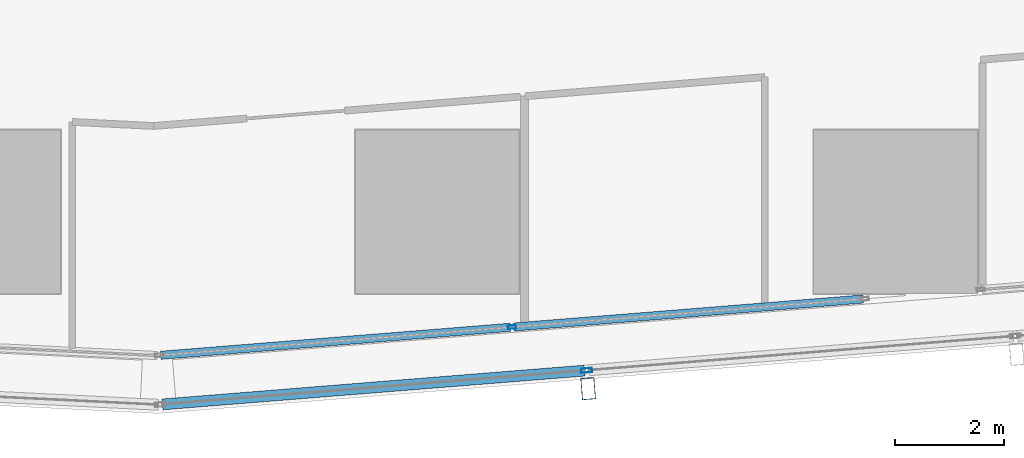
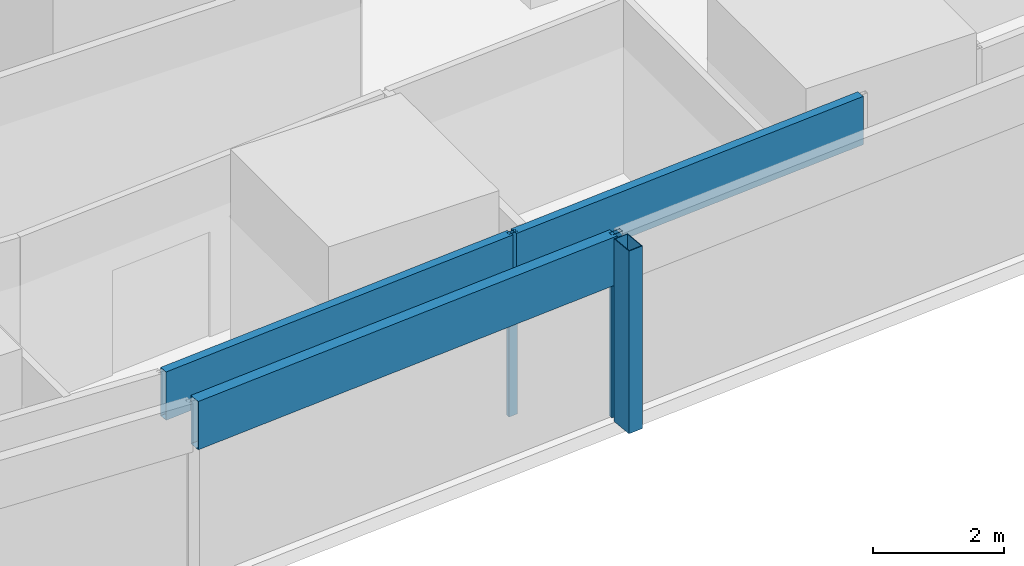
# One storey, part 10 of 44: 6 members, 2 elements without a shape of their own.
"""IFC4 building model written with IfcOpenShell, lengths in metres."""

from ifc_helpers import new_model, si_unit, direction, frame, origin, origin_2d, place, context, subcontext, project, spatial, hollow_rectangle, extrude, material, material_profile, profile_set, type_object, element, aggregate, save


model = new_model("IFC4")

# Units and contexts
model_context = context("Model", 3, precision=1e-05, world=origin(), true_north=direction((0.0, 1.0)))
body_context = subcontext(model_context, "Body", "Model", "MODEL_VIEW")
ifc_project = project(units=[si_unit("LENGTHUNIT", "METRE"), si_unit("AREAUNIT", "SQUARE_METRE"), si_unit("VOLUMEUNIT", "CUBIC_METRE"), si_unit("PLANEANGLEUNIT", "RADIAN"), si_unit("MASSUNIT", "GRAM", prefix="KILO")], contexts=[model_context])

# Site, building, storey
site_placement = place(None, origin())
site = spatial("IfcSite", under=ifc_project, at=site_placement, CompositionType="ELEMENT")
building_placement = place(site_placement, origin())
building = spatial("IfcBuilding", under=site, at=building_placement, Name="Rekha Terrace Tower", CompositionType="ELEMENT")
storey_placement = place(building_placement, frame((0.0, 0.0, 81.64990234375)))
storey = spatial("IfcBuildingStorey", under=building, at=storey_placement, Name="L20", CompositionType="ELEMENT", Elevation=81.64990234375)

# Curtain wall, member
ifc_material_1 = material(Name="Aluminium framing", Category="aluminium")
curtain_wall_type_1 = type_object("IfcCurtainWallType", Name="CW2 double skin outer glazing", PredefinedType="USERDEFINED", material=ifc_material_1)
curtain_wall_1_placement = place(storey_placement, origin())
curtain_wall_1 = element("IfcCurtainWall", 1, at=curtain_wall_1_placement, inside=storey, type_object=curtain_wall_type_1, Name="CW2 double skin outer glazing", ObjectType="DOUBLE SKIN OUTER GLAZING", PredefinedType="USERDEFINED")
ifc_material_2 = material(Name="Steel S355 with fluorocarbon finish", Category="steel")
ifc_material_profile_1 = material_profile(ifc_material_2, hollow_rectangle(XDim=0.25, YDim=0.39990234375, WallThickness=0.012451171875, at=origin_2d()), Name="RHS400x250x12.5")
ifc_profile_set_1 = profile_set([ifc_material_profile_1], Name="Steel S355 with fluorocarbon finish")
member_type_1 = type_object("IfcMemberType", Name="BL1 facade blade RHS 400 x 250", PredefinedType="USERDEFINED", material=ifc_profile_set_1)
member_1_placement = place(storey_placement, frame((53.16748046875, 5.15576171875, 0.0), z_axis=(0.0, 0.0, 1.0), x_axis=(0.996805139821, 0.079871855039, 0.0)))
member_1 = element("IfcMember", 2, at=member_1_placement, type_object=member_type_1, Name="Facade blade", ObjectType="FACADE BLADE", PredefinedType="USERDEFINED", context=body_context, shape_type="SweptSolid", body=[
    extrude(hollow_rectangle(XDim=0.25, YDim=0.39990234375, WallThickness=0.012451171875, at=origin_2d()), origin(), (0.0, 0.0, 1.0), 3.400146484375),
])

# Curtain wall, members
curtain_wall_type_2 = type_object("IfcCurtainWallType", Name="CW1 double skin inner glazing", PredefinedType="USERDEFINED", material=ifc_material_1)
curtain_wall_2_placement = place(storey_placement, origin())
curtain_wall_2 = element("IfcCurtainWall", 3, at=curtain_wall_2_placement, inside=storey, type_object=curtain_wall_type_2, Name="CW1 double skin inner glazing", ObjectType="DOUBLE SKIN INNER GLAZING", PredefinedType="USERDEFINED")
ifc_material_3 = material(Name="Aluminium mullion section", Category="aluminium")
ifc_material_profile_2 = material_profile(ifc_material_3, hollow_rectangle(XDim=0.06494140625, YDim=0.14990234375, WallThickness=0.00390625, at=origin_2d()), Name="AL RHS 65x150")
ifc_profile_set_2 = profile_set([ifc_material_profile_2], Name="Aluminium mullion section")
member_type_2 = type_object("IfcMemberType", Name="CW1 mullion RHS 65 x 150", PredefinedType="MULLION", material=ifc_profile_set_2)
member_2_placement = place(storey_placement, frame((51.771240234375, 6.282958984375, 0.0), z_axis=(0.0, 0.0, 1.0), x_axis=(-0.079872204468, 0.996805111821, 0.0)))
member_2 = element("IfcMember", 4, at=member_2_placement, type_object=member_type_2, Name="CW1 mullion 2", PredefinedType="MULLION", context=body_context, shape_type="SweptSolid", body=[
    extrude(hollow_rectangle(XDim=0.06494140625, YDim=0.14990234375, WallThickness=0.00390625, at=origin_2d()), origin(), (0.0, 0.0, 1.0), 3.400146484375),
])
ifc_material_4 = material(Name="Insulated aluminium spandrel box", Category="aluminium")
ifc_material_profile_3 = material_profile(ifc_material_4, hollow_rectangle(XDim=0.14990234375, YDim=0.89990234375, WallThickness=0.0029296875, at=origin_2d()), Name="AL SPANDREL BOX 150x900")
ifc_profile_set_3 = profile_set([ifc_material_profile_3], Name="Insulated aluminium spandrel box")
member_type_3 = type_object("IfcMemberType", Name="CW1 spandrel transom 150 x 900", PredefinedType="USERDEFINED", material=ifc_profile_set_3)
member_3_placement = place(storey_placement, frame((45.33642578125, 5.767333984375, 2.9501953125), z_axis=(0.996806207764, 0.07985852593, 0.0), x_axis=(-0.07985852593, 0.996806207764, 0.0)))
member_3 = element("IfcMember", 5, at=member_3_placement, type_object=member_type_3, Name="CW1 spandrel transom 1", ObjectType="TRANSOM", PredefinedType="USERDEFINED", context=body_context, shape_type="SweptSolid", body=[
    extrude(hollow_rectangle(XDim=0.14990234375, YDim=0.89990234375, WallThickness=0.0029296875, at=origin_2d()), origin(), (0.0, 0.0, 1.0), 6.423095703125),
])
member_4_placement = place(storey_placement, frame((51.8037109375, 6.285400390625, 2.9501953125), z_axis=(0.996803181348, 0.079896293125, 0.0), x_axis=(-0.079896293125, 0.996803181348, 0.0)))
member_4 = element("IfcMember", 6, at=member_4_placement, type_object=member_type_3, Name="CW1 spandrel transom 2", ObjectType="TRANSOM", PredefinedType="USERDEFINED", context=body_context, shape_type="SweptSolid", body=[
    extrude(hollow_rectangle(XDim=0.14990234375, YDim=0.89990234375, WallThickness=0.0029296875, at=origin_2d()), origin(), (0.0, 0.0, 1.0), 6.423095703125),
])
aggregate(curtain_wall_2, [member_2, member_3, member_4])

# Member
ifc_material_profile_4 = material_profile(ifc_material_3, hollow_rectangle(XDim=0.080078125, YDim=0.199951171875, WallThickness=0.00390625, at=origin_2d()), Name="AL RHS 80x200")
ifc_profile_set_4 = profile_set([ifc_material_profile_4], Name="Aluminium mullion section")
member_type_4 = type_object("IfcMemberType", Name="CW2 mullion RHS 80 x 200", PredefinedType="MULLION", material=ifc_profile_set_4)
member_5_placement = place(storey_placement, frame((53.140869140625, 5.48974609375, 0.0), z_axis=(0.0, 0.0, 1.0), x_axis=(-0.079872204468, 0.996805111821, 0.0)))
member_5 = element("IfcMember", 7, at=member_5_placement, type_object=member_type_4, Name="CW2 mullion 2", PredefinedType="MULLION", context=body_context, shape_type="SweptSolid", body=[
    extrude(hollow_rectangle(XDim=0.080078125, YDim=0.199951171875, WallThickness=0.00390625, at=origin_2d()), origin(), (0.0, 0.0, 1.0), 3.400146484375),
])

ifc_material_profile_5 = material_profile(ifc_material_4, hollow_rectangle(XDim=0.199951171875, YDim=0.89990234375, WallThickness=0.0029296875, at=origin_2d()), Name="AL SPANDREL BOX 200x900")
ifc_profile_set_5 = profile_set([ifc_material_profile_5], Name="Insulated aluminium spandrel box")
member_type_5 = type_object("IfcMemberType", Name="CW2 spandrel transom 200 x 900", PredefinedType="USERDEFINED", material=ifc_profile_set_5)
member_6_placement = place(storey_placement, frame((45.365234375, 4.86669921875, 2.9501953125), z_axis=(0.996804766607, 0.079876512622, 0.0), x_axis=(-0.079876512622, 0.996804766607, 0.0)))
member_6 = element("IfcMember", 8, at=member_6_placement, type_object=member_type_5, Name="CW2 spandrel transom 1", ObjectType="TRANSOM", PredefinedType="USERDEFINED", context=body_context, shape_type="SweptSolid", body=[
    extrude(hollow_rectangle(XDim=0.199951171875, YDim=0.89990234375, WallThickness=0.0029296875, at=origin_2d()), origin(), (0.0, 0.0, 1.0), 7.760498046875),
])

aggregate(curtain_wall_1, [member_5, member_6, member_1])

save(model, "model.ifc")
